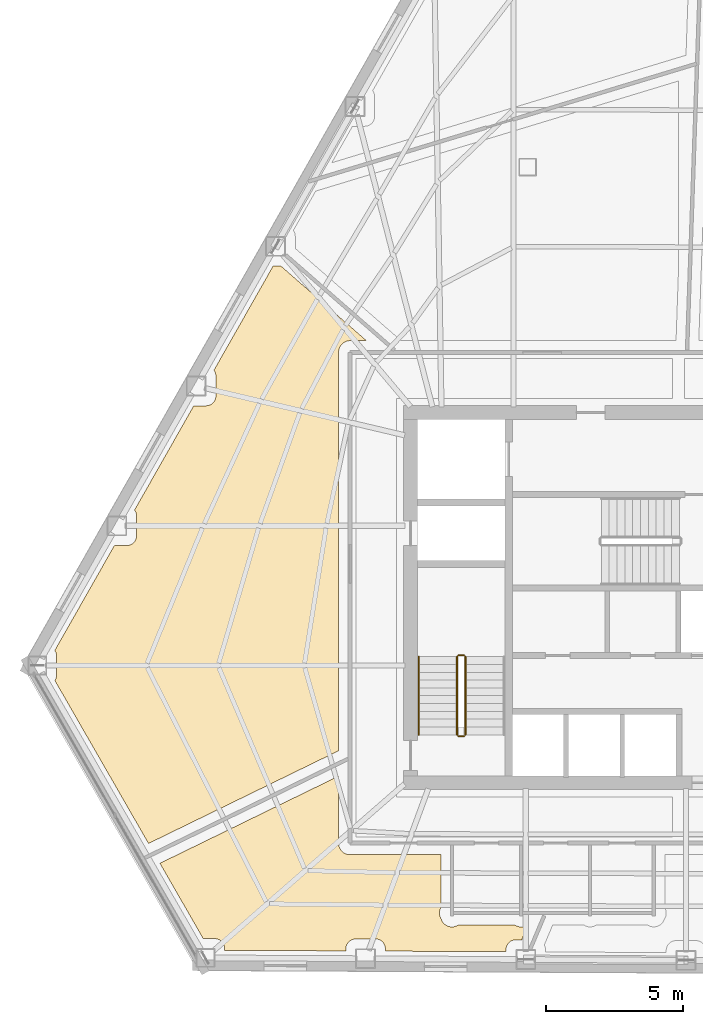
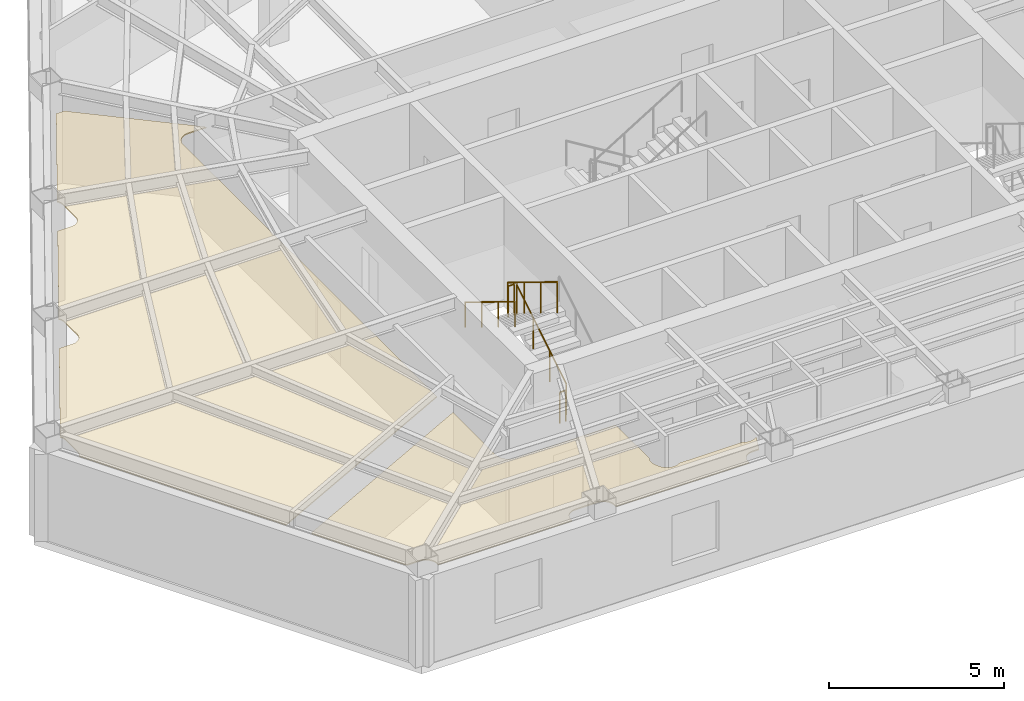
# One storey, part 11 of 13: 5 railings, 2 coverings.
"""IFC4 building model written with IfcOpenShell, lengths in metres."""

from ifc_helpers import new_model, si_unit, direction, frame, origin, origin_2d, place, context, subcontext, project, spatial, polyline, circle, outline, extrude, material, layer, layer_set, type_object, element, save


model = new_model("IFC4")

# Units and contexts
model_context = context("Model", 3, precision=1e-05, world=origin(), true_north=direction((0.0, 1.0)))
body_context = subcontext(model_context, "Body", "Model", "MODEL_VIEW")
ifc_project = project(units=[si_unit("LENGTHUNIT", "METRE"), si_unit("AREAUNIT", "SQUARE_METRE"), si_unit("VOLUMEUNIT", "CUBIC_METRE"), si_unit("PLANEANGLEUNIT", "RADIAN"), si_unit("MASSUNIT", "GRAM", prefix="KILO")], contexts=[model_context])

# Site, building, storey
site_placement = place(None, origin())
site = spatial("IfcSite", under=ifc_project, at=site_placement, CompositionType="ELEMENT")
building_placement = place(site_placement, origin())
building = spatial("IfcBuilding", under=site, at=building_placement, Name="Kavelnor Concourse Tower", CompositionType="ELEMENT")
storey_placement = place(building_placement, frame((0.0, 0.0, 100.89990234375)))
storey = spatial("IfcBuildingStorey", under=building, at=storey_placement, Name="L25", CompositionType="ELEMENT", Elevation=100.89990234375)

# Coverings
ifc_material_1 = material(Name="Mineral fibre acoustic ceiling tile")
ifc_layer = layer(ifc_material_1, 0.0400390625, Name="Mineral fibre acoustic ceiling tile")
ifc_layer_set = layer_set([ifc_layer], Name="Mineral fibre acoustic ceiling tile")
covering_type = type_object("IfcCoveringType", Name="COV-CEILING-ACOUSTIC", PredefinedType="CEILING", material=ifc_layer_set)
covering_1_placement = place(storey_placement, frame((0.0, 0.0, 2.75)))
element("IfcCovering", 1, at=covering_1_placement, inside=storey, type_object=covering_type, Name="L25 Suspended Acoustic Ceiling", PredefinedType="CEILING", context=body_context, shape_type="SweptSolid", body=[
    extrude(outline(polyline([(17.43115234375, 18.002685546875), (17.88623046875, 18.002685546875), (17.913330078125, 18.00390625), (17.9482421875, 18.00927734375), (17.982666015625, 18.017822265625), (18.015869140625, 18.02978515625), (18.0478515625, 18.044921875), (18.078125, 18.06298828125), (18.106689453125, 18.083984375), (18.1328125, 18.10791015625), (18.156494140625, 18.134033203125), (18.177734375, 18.16259765625), (18.19580078125, 18.19287109375), (18.2109375, 18.224853515625), (18.222900390625, 18.258056640625), (18.2314453125, 18.29248046875), (18.23681640625, 18.327392578125), (18.238037109375, 18.3544921875), (18.238037109375, 19.091064453125), (18.23681640625, 19.117919921875), (18.2314453125, 19.153076171875), (18.222900390625, 19.187255859375), (18.2109375, 19.220703125), (18.19580078125, 19.252685546875), (18.177734375, 19.282958984375), (18.166748046875, 19.2978515625), (20.32568359375, 23.09912109375), (20.781005859375, 23.09912109375), (20.807861328125, 23.100341796875), (20.843017578125, 23.105712890625), (20.877197265625, 23.1142578125), (20.910400390625, 23.126220703125), (20.9423828125, 23.14111328125), (20.972900390625, 23.159423828125), (21.001220703125, 23.180419921875), (21.02734375, 23.204345703125), (21.05126953125, 23.23046875), (21.072265625, 23.2587890625), (21.090576171875, 23.289306640625), (21.105712890625, 23.3212890625), (21.117431640625, 23.3544921875), (21.126220703125, 23.388916015625), (21.13134765625, 23.423828125), (21.132568359375, 23.45068359375), (21.132568359375, 24.1875), (21.13134765625, 24.21435546875), (21.126220703125, 24.24951171875), (21.117431640625, 24.28369140625), (21.105712890625, 24.31689453125), (21.090576171875, 24.34912109375), (21.072265625, 24.37939453125), (21.061279296875, 24.394287109375), (23.22021484375, 28.1953125), (23.501220703125, 28.1953125), (26.623046875, 25.472412109375), (26.021728515625, 25.472412109375), (25.988525390625, 25.470947265625), (25.947509765625, 25.46484375), (25.9072265625, 25.45458984375), (25.8681640625, 25.440673828125), (25.83056640625, 25.423095703125), (25.794921875, 25.401611328125), (25.76171875, 25.376953125), (25.73095703125, 25.34912109375), (25.703125, 25.318359375), (25.678466796875, 25.284912109375), (25.656982421875, 25.24951171875), (25.639404296875, 25.2119140625), (25.625244140625, 25.1728515625), (25.615234375, 25.132568359375), (25.609130859375, 25.091552734375), (25.607421875, 25.058349609375), (25.607421875, 10.517578125), (18.6767578125, 7.13720703125), (15.259765625, 13.08154296875), (15.26318359375, 13.086181640625), (15.281494140625, 13.116455078125), (15.29638671875, 13.1484375), (15.308349609375, 13.181884765625), (15.31689453125, 13.216064453125), (15.322265625, 13.251220703125), (15.323486328125, 13.278076171875), (15.323486328125, 13.974609375), (15.322265625, 14.001708984375), (15.31689453125, 14.03662109375), (15.308349609375, 14.071044921875), (15.29638671875, 14.104248046875), (15.281494140625, 14.13623046875), (15.26318359375, 14.16650390625), (15.257080078125, 14.1748046875), (17.43115234375, 18.002685546875)])), origin(), (0.0, 0.0, 1.0), 0.0400390625),
])
covering_2_placement = place(storey_placement, frame((0.0, 0.0, 2.75)))
element("IfcCovering", 2, at=covering_2_placement, inside=storey, type_object=covering_type, Name="L25 Suspended Acoustic Ceiling", PredefinedType="CEILING", context=body_context, shape_type="SweptSolid", body=[
    extrude(outline(polyline([(25.609130859375, 7.1083984375), (25.615234375, 7.0673828125), (25.625244140625, 7.027099609375), (25.639404296875, 6.98828125), (25.656982421875, 6.95068359375), (25.678466796875, 6.9150390625), (25.703125, 6.881591796875), (25.73095703125, 6.85107421875), (25.76171875, 6.822998046875), (25.794921875, 6.79833984375), (25.83056640625, 6.777099609375), (25.8681640625, 6.75927734375), (25.9072265625, 6.745361328125), (25.947509765625, 6.735107421875), (25.988525390625, 6.72900390625), (26.021728515625, 6.7275390625), (29.3349609375, 6.7275390625), (29.3349609375, 4.79541015625), (29.33251953125, 4.791015625), (29.3154296875, 4.755126953125), (29.302001953125, 4.7177734375), (29.29248046875, 4.67919921875), (29.28662109375, 4.6396484375), (29.28466796875, 4.60009765625), (29.28662109375, 4.560302734375), (29.29248046875, 4.52099609375), (29.302001953125, 4.482421875), (29.3154296875, 4.44482421875), (29.33251953125, 4.408935546875), (29.352783203125, 4.374755859375), (29.3564453125, 4.3701171875), (29.365478515625, 4.344970703125), (29.382568359375, 4.308837890625), (29.40283203125, 4.27490234375), (29.426513671875, 4.242919921875), (29.453369140625, 4.21337890625), (29.48291015625, 4.1865234375), (29.514892578125, 4.162841796875), (29.548828125, 4.142578125), (29.5849609375, 4.12548828125), (29.622314453125, 4.112060546875), (29.660888671875, 4.102294921875), (29.7001953125, 4.096435546875), (29.739990234375, 4.094482421875), (29.77978515625, 4.096435546875), (29.819091796875, 4.102294921875), (29.857666015625, 4.112060546875), (29.89501953125, 4.12548828125), (29.93115234375, 4.142578125), (29.96044921875, 4.159912109375), (32.03955078125, 4.159912109375), (32.06884765625, 4.142578125), (32.10498046875, 4.12548828125), (32.142333984375, 4.112060546875), (32.180908203125, 4.102294921875), (32.22021484375, 4.096435546875), (32.260009765625, 4.094482421875), (32.2998046875, 4.096435546875), (32.339111328125, 4.102294921875), (32.377685546875, 4.112060546875), (32.4150390625, 4.12548828125), (32.451171875, 4.142578125), (32.48046875, 4.159912109375), (32.51171875, 4.159912109375), (32.28662109375, 3.626220703125), (32.06494140625, 3.626220703125), (32.037841796875, 3.625), (32.0029296875, 3.61962890625), (31.968505859375, 3.611083984375), (31.935302734375, 3.59912109375), (31.9033203125, 3.583984375), (31.873046875, 3.56591796875), (31.844482421875, 3.544921875), (31.818359375, 3.52099609375), (31.794677734375, 3.494873046875), (31.7734375, 3.46630859375), (31.75537109375, 3.43603515625), (31.740234375, 3.404052734375), (31.728271484375, 3.370849609375), (31.7197265625, 3.33642578125), (31.714599609375, 3.301513671875), (31.713134765625, 3.2744140625), (31.713134765625, 3.18994140625), (27.312255859375, 3.212646484375), (27.312255859375, 3.3046875), (27.310791015625, 3.331787109375), (27.3056640625, 3.36669921875), (27.297119140625, 3.401123046875), (27.28515625, 3.434326171875), (27.27001953125, 3.46630859375), (27.251953125, 3.49658203125), (27.230712890625, 3.525146484375), (27.20703125, 3.55126953125), (27.180908203125, 3.5751953125), (27.15234375, 3.59619140625), (27.1220703125, 3.614501953125), (27.090087890625, 3.62939453125), (27.056884765625, 3.641357421875), (27.0224609375, 3.64990234375), (26.987548828125, 3.6552734375), (26.96044921875, 3.656494140625), (26.223876953125, 3.656494140625), (26.197021484375, 3.6552734375), (26.161865234375, 3.64990234375), (26.127685546875, 3.641357421875), (26.09423828125, 3.62939453125), (26.062255859375, 3.614501953125), (26.031982421875, 3.59619140625), (26.003662109375, 3.5751953125), (25.977294921875, 3.55126953125), (25.95361328125, 3.525146484375), (25.9326171875, 3.49658203125), (25.914306640625, 3.46630859375), (25.899169921875, 3.434326171875), (25.88720703125, 3.401123046875), (25.878662109375, 3.36669921875), (25.87353515625, 3.331787109375), (25.872314453125, 3.3046875), (25.872314453125, 3.22021484375), (21.451171875, 3.2431640625), (21.451171875, 3.315185546875), (21.449951171875, 3.342041015625), (21.444580078125, 3.377197265625), (21.43603515625, 3.411376953125), (21.42431640625, 3.444580078125), (21.4091796875, 3.476806640625), (21.390869140625, 3.507080078125), (21.369873046875, 3.535400390625), (21.345947265625, 3.5615234375), (21.31982421875, 3.58544921875), (21.29150390625, 3.6064453125), (21.260986328125, 3.624755859375), (21.22900390625, 3.639892578125), (21.19580078125, 3.651611328125), (21.16162109375, 3.660400390625), (21.12646484375, 3.66552734375), (21.099609375, 3.666748046875), (20.671630859375, 3.666748046875), (19.09130859375, 6.416015625), (25.607421875, 9.593994140625), (25.607421875, 7.1416015625), (25.609130859375, 7.1083984375)])), origin(), (0.0, 0.0, 1.0), 0.0400390625),
])

# Railings
ifc_material_2 = material(Name="Steel Grade 350", Category="steel")
railing_type_1 = type_object("IfcRailingType", Name="RLG-GUARD-1100", PredefinedType="GUARDRAIL", material=ifc_material_2)
railing_1_placement = place(storey_placement, frame((30.22998046875, 11.10009765625, 0.175048828125)))
element("IfcRailing", 3, at=railing_1_placement, inside=storey, type_object=railing_type_1, Name="L25 ST1 stair guard 1", PredefinedType="GUARDRAIL", context=body_context, shape_type="SweptSolid", body=[
    extrude(circle(Radius=0.02392578125, at=origin_2d()), frame((0.0, 0.0, 1.076171875), z_axis=(0.0, 0.852159232446, 0.523282564737), x_axis=(-1.0, 0.0, 0.0)), (0.0, 0.0, 1.0), 3.34423828125),
    extrude(circle(Radius=0.02099609375, at=origin_2d()), origin(), (0.0, 0.0, 1.0), 1.052001953125),
    extrude(circle(Radius=0.02099609375, at=origin_2d()), frame((0.0, 0.949951171875, 0.583251953125)), (0.0, 0.0, 1.0), 1.052001953125),
    extrude(circle(Radius=0.02099609375, at=origin_2d()), frame((0.0, 1.89990234375, 1.166748046875)), (0.0, 0.0, 1.0), 1.052001953125),
    extrude(circle(Radius=0.02099609375, at=origin_2d()), frame((0.0, 2.849853515625, 1.75)), (0.0, 0.0, 1.0), 1.052001953125),
])
railing_2_placement = place(storey_placement, frame((30.179931640625, 14.0, 1.925048828125)))
element("IfcRailing", 4, at=railing_2_placement, inside=storey, type_object=railing_type_1, Name="L25 ST1 stair guard 2", PredefinedType="GUARDRAIL", context=body_context, shape_type="SweptSolid", body=[
    extrude(circle(Radius=0.02392578125, at=origin_2d()), frame((0.0, 0.0, 1.076171875), z_axis=(-1.0, 0.0, 0.0), x_axis=(0.0, -1.0, 0.0)), (0.0, 0.0, 1.0), 0.199951171875),
    extrude(circle(Radius=0.02099609375, at=origin_2d()), origin(), (0.0, 0.0, 1.0), 1.052001953125),
    extrude(circle(Radius=0.02099609375, at=origin_2d()), frame((-0.199951171875, 0.0, 0.0)), (0.0, 0.0, 1.0), 1.052001953125),
])
railing_3_placement = place(storey_placement, frame((29.929931640625, 13.949951171875, 2.10009765625)))
element("IfcRailing", 5, at=railing_3_placement, inside=storey, type_object=railing_type_1, Name="L25 ST1 stair guard 3", PredefinedType="GUARDRAIL", context=body_context, shape_type="SweptSolid", body=[
    extrude(circle(Radius=0.02392578125, at=origin_2d()), frame((0.0, 0.0, 1.076171875), z_axis=(0.0, -0.852159232446, 0.523282564737), x_axis=(1.0, 0.0, 0.0)), (0.0, 0.0, 1.0), 3.34423828125),
    extrude(circle(Radius=0.02099609375, at=origin_2d()), origin(), (0.0, 0.0, 1.0), 1.052001953125),
    extrude(circle(Radius=0.02099609375, at=origin_2d()), frame((0.0, -0.949951171875, 0.583251953125)), (0.0, 0.0, 1.0), 1.052001953125),
    extrude(circle(Radius=0.02099609375, at=origin_2d()), frame((0.0, -1.89990234375, 1.166748046875)), (0.0, 0.0, 1.0), 1.052001953125),
    extrude(circle(Radius=0.02099609375, at=origin_2d()), frame((0.0, -2.849853515625, 1.75)), (0.0, 0.0, 1.0), 1.052001953125),
])
railing_4_placement = place(storey_placement, frame((30.179931640625, 11.050048828125, 0.0)))
element("IfcRailing", 6, at=railing_4_placement, inside=storey, type_object=railing_type_1, Name="L25 ST1 stair guard 4", PredefinedType="GUARDRAIL", context=body_context, shape_type="SweptSolid", body=[
    extrude(circle(Radius=0.02392578125, at=origin_2d()), frame((0.0, 0.0, 1.076171875), z_axis=(-1.0, 0.0, 0.0), x_axis=(0.0, -1.0, 0.0)), (0.0, 0.0, 1.0), 0.199951171875),
    extrude(circle(Radius=0.02099609375, at=origin_2d()), origin(), (0.0, 0.0, 1.0), 1.052001953125),
    extrude(circle(Radius=0.02099609375, at=origin_2d()), frame((-0.199951171875, 0.0, 0.0)), (0.0, 0.0, 1.0), 1.052001953125),
])
railing_type_2 = type_object("IfcRailingType", Name="RLG-HANDRAIL-900", PredefinedType="HANDRAIL", material=ifc_material_2)
railing_5_placement = place(storey_placement, frame((28.530029296875, 13.949951171875, 2.10009765625)))
element("IfcRailing", 7, at=railing_5_placement, inside=storey, type_object=railing_type_2, Name="L25 ST1 stair handrail 2", PredefinedType="HANDRAIL", context=body_context, shape_type="SweptSolid", body=[
    extrude(circle(Radius=0.02392578125, at=origin_2d()), frame((0.0, 0.0, 0.8759765625), z_axis=(0.0, -0.852159232446, 0.523282564737), x_axis=(1.0, 0.0, 0.0)), (0.0, 0.0, 1.0), 3.34423828125),
    extrude(circle(Radius=0.02099609375, at=origin_2d()), origin(), (0.0, 0.0, 1.0), 0.851806640625),
    extrude(circle(Radius=0.02099609375, at=origin_2d()), frame((0.0, -0.949951171875, 0.583251953125)), (0.0, 0.0, 1.0), 0.851806640625),
    extrude(circle(Radius=0.02099609375, at=origin_2d()), frame((0.0, -1.89990234375, 1.166748046875)), (0.0, 0.0, 1.0), 0.851806640625),
    extrude(circle(Radius=0.02099609375, at=origin_2d()), frame((0.0, -2.849853515625, 1.75)), (0.0, 0.0, 1.0), 0.851806640625),
])

save(model, "model.ifc")
